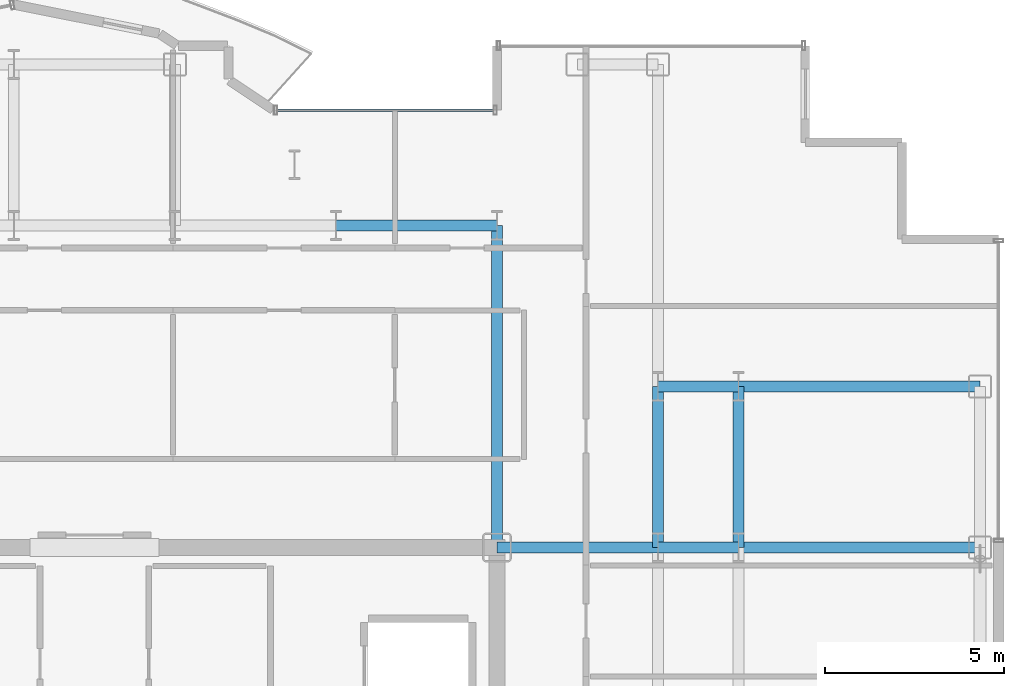
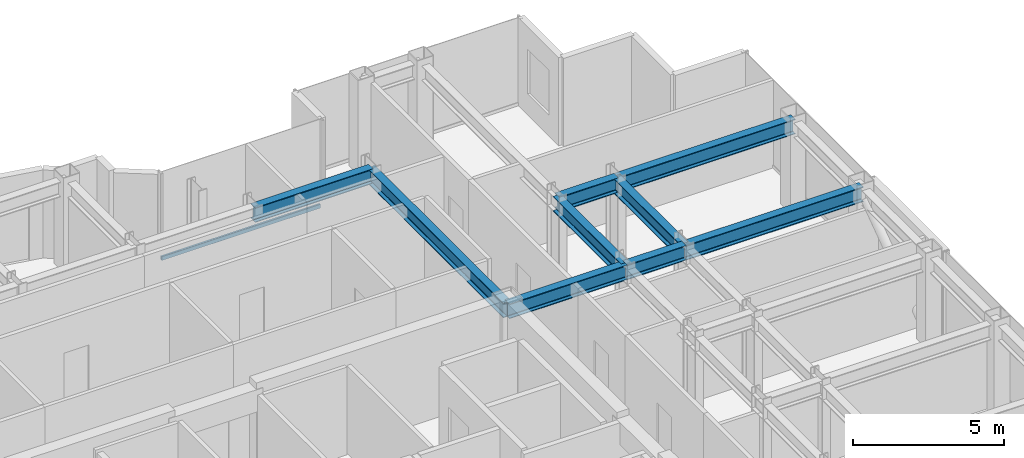
# One storey, part 12 of 22: 9 beams, 1 member, 1 element without a shape of its own.
"""IFC4 building model written with IfcOpenShell, lengths in metres."""

from ifc_helpers import new_model, si_unit, direction, frame, origin, origin_2d, place, context, subcontext, project, spatial, hollow_rectangle, i_section, extrude, source, transform, mapped, material, layer, layer_set, material_profile, profile_set, type_object, element, aggregate, save


model = new_model("IFC4")

# Units and contexts
model_context = context("Model", 3, precision=1e-05, world=origin(), true_north=direction((0.0, 1.0)))
body_context = subcontext(model_context, "Body", "Model", "MODEL_VIEW")
ifc_project = project(units=[si_unit("LENGTHUNIT", "METRE"), si_unit("AREAUNIT", "SQUARE_METRE"), si_unit("VOLUMEUNIT", "CUBIC_METRE"), si_unit("PLANEANGLEUNIT", "RADIAN"), si_unit("MASSUNIT", "GRAM", prefix="KILO")], contexts=[model_context])

# Site, building, storey
site_placement = place(None, origin())
site = spatial("IfcSite", under=ifc_project, at=site_placement, CompositionType="ELEMENT")
building_placement = place(site_placement, origin())
building = spatial("IfcBuilding", under=site, at=building_placement, Name="Nefas-Gora Pilgrimage Tower", CompositionType="ELEMENT")
storey_placement = place(building_placement, frame((0.0, 0.0, 240.800048828125)))
storey = spatial("IfcBuildingStorey", under=building, at=storey_placement, Name="L60", CompositionType="ELEMENT", Elevation=240.800048828125)

# Beams
ifc_material_1 = material(Name="Steel S355", Category="steel")
ifc_material_profile_1 = material_profile(ifc_material_1, i_section(OverallWidth=0.300048828125, OverallDepth=0.60009765625, WebThickness=0.015380859375, FlangeThickness=0.030029296875, FilletRadius=0.027099609375, at=origin_2d()), Name="HEB 600")
ifc_profile_set_1 = profile_set([ifc_material_profile_1], Name="Steel S355")
beam_type = type_object("IfcBeamType", Name="BM-GIR-HEB600", PredefinedType="BEAM", material=ifc_profile_set_1)
shared_shape_1 = source(origin(), body_context, "Body", "SweptSolid", [
    extrude(i_section(OverallWidth=0.300048828125, OverallDepth=0.60009765625, WebThickness=0.015380859375, FlangeThickness=0.030029296875, FilletRadius=0.027099609375, at=origin_2d()), origin(), (0.0, 0.0, 1.0), 9.0),
])
beam_placement = place(storey_placement, frame((11.25, 9.0, 3.25), z_axis=(0.0, 1.0, 0.0), x_axis=(-1.0, 0.0, 0.0)))
element("IfcBeam", 1, at=beam_placement, inside=storey, type_object=beam_type, Name="L60 G-04 beam", PredefinedType="BEAM", context=body_context, shape_type="MappedRepresentation", body=[
    mapped(shared_shape_1, transform((0.0, 0.0, 0.0), x_axis=(1.0, 0.0, 0.0), y_axis=(0.0, 1.0, 0.0), z_axis=(0.0, 0.0, 1.0), scale=1.0)),
])
shared_shape_2 = source(origin(), body_context, "Body", "SweptSolid", [
    extrude(i_section(OverallWidth=0.300048828125, OverallDepth=0.60009765625, WebThickness=0.015380859375, FlangeThickness=0.030029296875, FilletRadius=0.027099609375, at=origin_2d()), origin(), (0.0, 0.0, 1.0), 4.5),
])
for number, where, z_axis, x_axis, name in (
    (2, (6.75, 18.0, 3.25), (1.0, 0.0, 0.0), (0.0, 1.0, 0.0), "L60 G-04 beam"),
    (3, (11.25, 9.0, 3.25), (1.0, 0.0, 0.0), (0.0, 1.0, 0.0), "L60 G-04 beam"),
    (4, (15.75, 9.0, 3.25), (0.0, 1.0, 0.0), (-1.0, 0.0, 0.0), "L60 G-04 beam"),
    (5, (18.0, 9.0, 3.25), (0.0, 1.0, 0.0), (-1.0, 0.0, 0.0), "L60 G-04 beam"),
):
    element("IfcBeam", number, at=place(storey_placement, frame(where, z_axis=z_axis, x_axis=x_axis)), inside=storey, type_object=beam_type, Name=name, PredefinedType="BEAM", context=body_context, shape_type="MappedRepresentation", body=[
        mapped(shared_shape_2, transform((0.0, 0.0, 0.0), x_axis=(1.0, 0.0, 0.0), y_axis=(0.0, 1.0, 0.0), z_axis=(0.0, 0.0, 1.0), scale=1.0)),
    ])
shared_shape_3 = source(origin(), body_context, "Body", "SweptSolid", [
    extrude(i_section(OverallWidth=0.300048828125, OverallDepth=0.60009765625, WebThickness=0.015380859375, FlangeThickness=0.030029296875, FilletRadius=0.027099609375, at=origin_2d()), origin(), (0.0, 0.0, 1.0), 6.75),
])
for number, where, z_axis, x_axis, name in (
    (6, (18.0, 9.0, 3.25), (1.0, 0.0, 0.0), (0.0, 1.0, 0.0), "L60 G-04 beam"),
    (7, (18.0, 13.5, 3.25), (1.0, 0.0, 0.0), (0.0, 1.0, 0.0), "L60 G-04 beam"),
):
    element("IfcBeam", number, at=place(storey_placement, frame(where, z_axis=z_axis, x_axis=x_axis)), inside=storey, type_object=beam_type, Name=name, PredefinedType="BEAM", context=body_context, shape_type="MappedRepresentation", body=[
        mapped(shared_shape_3, transform((0.0, 0.0, 0.0), x_axis=(1.0, 0.0, 0.0), y_axis=(0.0, 1.0, 0.0), z_axis=(0.0, 0.0, 1.0), scale=1.0)),
    ])
shared_shape_4 = source(origin(), body_context, "Body", "SweptSolid", [
    extrude(i_section(OverallWidth=0.300048828125, OverallDepth=0.60009765625, WebThickness=0.015380859375, FlangeThickness=0.030029296875, FilletRadius=0.027099609375, at=origin_2d()), origin(), (0.0, 0.0, 1.0), 2.25),
])
for number, where, z_axis, x_axis, name in (
    (8, (15.75, 9.0, 3.25), (1.0, 0.0, 0.0), (0.0, 1.0, 0.0), "L60 G-04 beam"),
    (9, (15.75, 13.5, 3.25), (1.0, 0.0, 0.0), (0.0, 1.0, 0.0), "L60 G-04 beam"),
):
    element("IfcBeam", number, at=place(storey_placement, frame(where, z_axis=z_axis, x_axis=x_axis)), inside=storey, type_object=beam_type, Name=name, PredefinedType="BEAM", context=body_context, shape_type="MappedRepresentation", body=[
        mapped(shared_shape_4, transform((0.0, 0.0, 0.0), x_axis=(1.0, 0.0, 0.0), y_axis=(0.0, 1.0, 0.0), z_axis=(0.0, 0.0, 1.0), scale=1.0)),
    ])

# Curtain wall, member
ifc_material_2 = material(Name="Dark ceramic-fritted solar-control aluminium-glass curtain wall", Category="aluminium")
ifc_layer = layer(ifc_material_2, 0.219970703125)
ifc_layer_set = layer_set([ifc_layer], Name="Dark ceramic-fritted solar-control aluminium-glass curtain wall")
curtain_wall_type = type_object("IfcCurtainWallType", Name="CW-SYS-5", PredefinedType="NOTDEFINED", material=ifc_layer_set)
curtain_wall_placement = place(storey_placement, origin())
curtain_wall = element("IfcCurtainWall", 10, at=curtain_wall_placement, inside=storey, type_object=curtain_wall_type, Name="L60 Unitised Curtain Wall CW5", PredefinedType="NOTDEFINED")
ifc_material_3 = material(Name="Anodised architectural aluminium", Category="aluminium")
ifc_material_profile_2 = material_profile(ifc_material_3, hollow_rectangle(XDim=0.080078125, YDim=0.159912109375, WallThickness=0.00439453125, InnerFilletRadius=0.00439453125, OuterFilletRadius=0.009033203125, at=origin_2d()), Name="ALU TRANSOM 80x160")
ifc_profile_set_2 = profile_set([ifc_material_profile_2], Name="Anodised architectural aluminium")
member_type = type_object("IfcMemberType", Name="CWM-TRN-5", PredefinedType="USERDEFINED", material=ifc_profile_set_2)
shared_shape_5 = source(origin(), body_context, "Body", "SweptSolid", [
    extrude(hollow_rectangle(XDim=0.080078125, YDim=0.159912109375, WallThickness=0.00439453125, InnerFilletRadius=0.00439453125, OuterFilletRadius=0.009033203125, at=origin_2d()), origin(), (0.0, 0.0, 1.0), 6.052001953125),
])
member_placement = place(storey_placement, frame((11.159912109375, 21.219970703125, 0.050048828125), z_axis=(-1.0, 0.0, 0.0), x_axis=(0.0, -1.0, 0.0)))
member = element("IfcMember", 11, at=member_placement, type_object=member_type, Name="CW5 Spandrel Transom", ObjectType="TRANSOM", PredefinedType="USERDEFINED", context=body_context, shape_type="MappedRepresentation", body=[
    mapped(shared_shape_5, transform((0.0, 0.0, 0.0), x_axis=(1.0, 0.0, 0.0), y_axis=(0.0, 1.0, 0.0), z_axis=(0.0, 0.0, 1.0), scale=1.0)),
])
aggregate(curtain_wall, [member])

save(model, "model.ifc")
